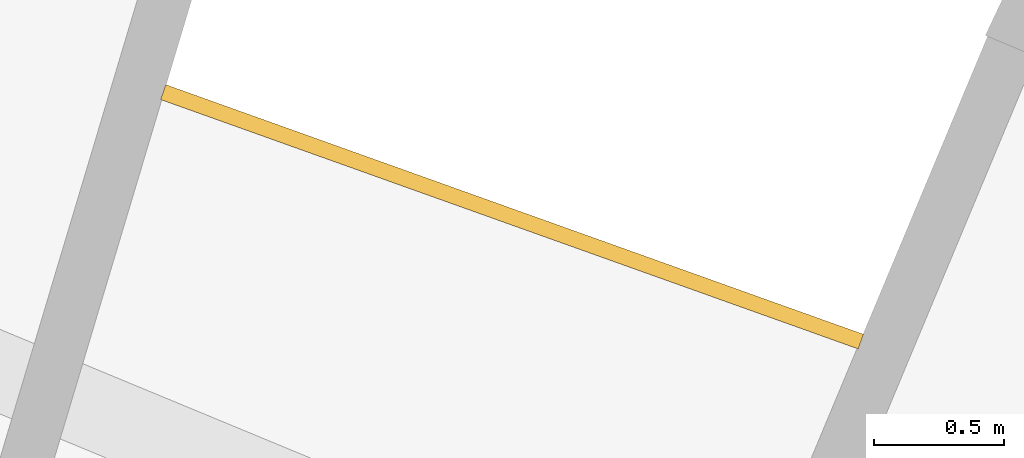
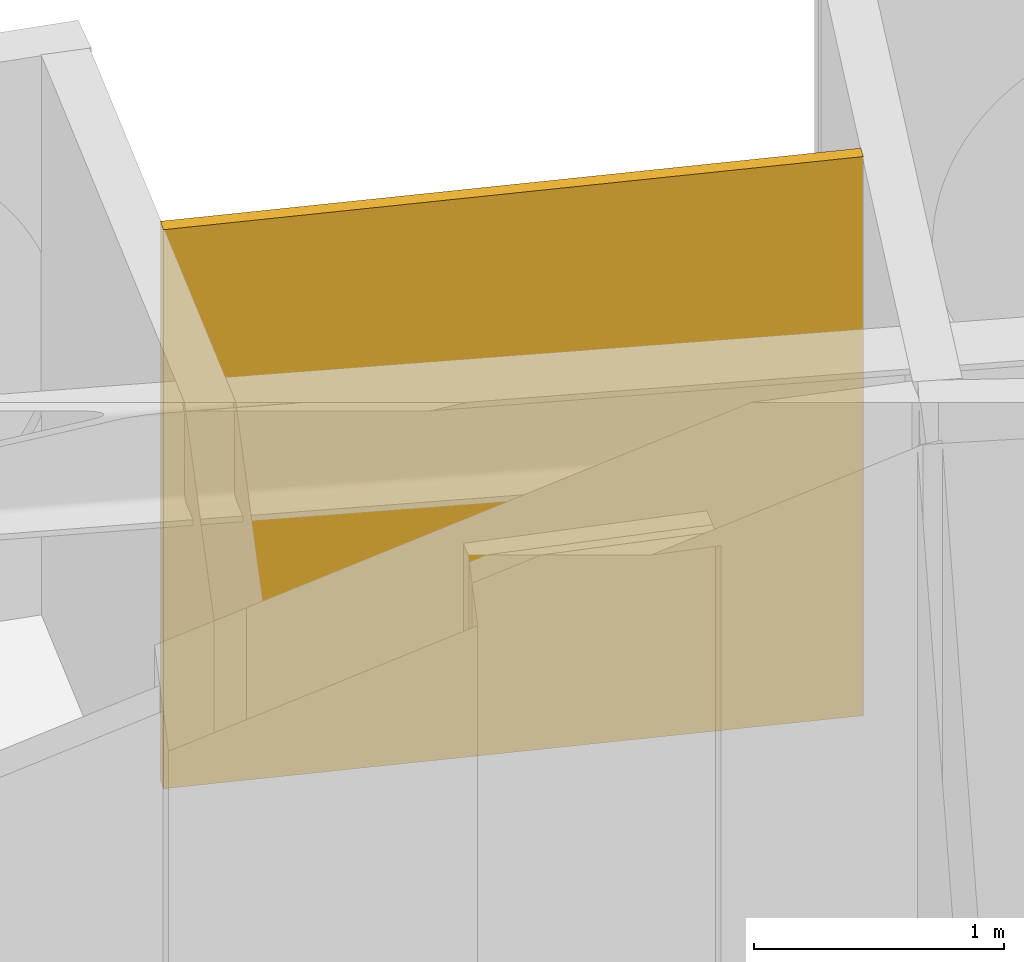
# One storey, part 26 of 26: 1 railing.
"""IFC4 building model written with IfcOpenShell, lengths in metres."""

import ifcopenshell
import ifcopenshell.guid

model = None  # the IFC model being written
_history = None  # IfcOwnerHistory: only IFC2X3 demands one
_inside = {}  # id of a spatial element -> (the spatial element, [elements in it])
_under = {}  # id of a project, library or spatial element -> (it, [spatial elements below it])
_declared = {}  # id of a project -> (the project, [libraries it declares])
_typed = {}  # id of a type object -> (the type object, [elements of that type])
_made_of = {}  # id of a material, layer set ... -> (it, [elements and type objects made of it])


def new_model(schema):
    """Start an empty IFC model of exactly this schema.

    Asked for "IFC4X3", IfcOpenShell would pick the latest addendum, in which some entities
    have other attributes; the version numbers below select the first issue.
    IFC2X3 requires an IfcOwnerHistory on every rooted entity: one is made here for all.
    """
    global model, _history
    if schema == "IFC4X3":
        model = ifcopenshell.file(schema_version=(4, 3, 0, 0))
    else:
        model = ifcopenshell.file(schema=schema)
    _inside.clear()
    _under.clear()
    _declared.clear()
    _typed.clear()
    _made_of.clear()
    _history = None
    if model.schema == "IFC2X3":
        org = make("IfcOrganization", Name="unknown")
        user = make(
            "IfcPersonAndOrganization",
            ThePerson=make("IfcPerson", FamilyName="unknown"),
            TheOrganization=org,
        )
        app = make(
            "IfcApplication",
            ApplicationDeveloper=org,
            Version="unknown",
            ApplicationFullName="unknown",
            ApplicationIdentifier="unknown",
        )
        _history = make(
            "IfcOwnerHistory",
            OwningUser=user,
            OwningApplication=app,
            ChangeAction="ADDED",
            CreationDate=0,
        )
    return model


def make(cls, **values):
    """One entity of the class cls with the attributes given. An attribute that is None is left unset."""
    return model.create_entity(
        cls, **{name: value for name, value in values.items() if value is not None}
    )


def rooted(cls, **values):
    """An entity with a GlobalId (a new one), such as an element, a storey or a relation."""
    return make(cls, GlobalId=ifcopenshell.guid.new(), OwnerHistory=_history, **values)


def si_unit(unit_type, name, prefix=None):
    """IfcSIUnit, for example si_unit("LENGTHUNIT", "METRE", prefix="MILLI")."""
    return make("IfcSIUnit", UnitType=unit_type, Prefix=prefix, Name=name)


def assignment(units):
    """IfcUnitAssignment: the units of a project."""
    return None if units is None else make("IfcUnitAssignment", Units=units)


def point(xyz):
    """IfcCartesianPoint."""
    return None if xyz is None else make("IfcCartesianPoint", Coordinates=xyz)


def direction(xyz):
    """IfcDirection."""
    return None if xyz is None else make("IfcDirection", DirectionRatios=xyz)


def frame(location, z_axis=None, x_axis=None):
    """IfcAxis2Placement3D, a coordinate frame: its origin and axes. An axis left out is left unset."""
    return make(
        "IfcAxis2Placement3D",
        Location=point(location),
        Axis=direction(z_axis),
        RefDirection=direction(x_axis),
    )


def origin():
    """The frame at (0, 0, 0) with its axes left unset."""
    return frame((0.0, 0.0, 0.0))


def place(relative_to, where):
    """IfcLocalPlacement: puts the frame where relative to a parent placement (None: the world)."""
    return make(
        "IfcLocalPlacement", PlacementRelTo=relative_to, RelativePlacement=where
    )


def context(
    kind, dimensions, precision=None, world=None, true_north=None, identifier=None
):
    """IfcGeometricRepresentationContext, for example the 3D "Model" context."""
    return make(
        "IfcGeometricRepresentationContext",
        ContextIdentifier=identifier,
        ContextType=kind,
        CoordinateSpaceDimension=dimensions,
        Precision=precision,
        WorldCoordinateSystem=world,
        TrueNorth=true_north,
    )


def subcontext(parent, identifier, kind, view, scale=None):
    """IfcGeometricRepresentationSubContext, for example "Body" below "Model"."""
    return make(
        "IfcGeometricRepresentationSubContext",
        ContextIdentifier=identifier,
        ContextType=kind,
        ParentContext=parent,
        TargetScale=scale,
        TargetView=view,
    )


def project(units=None, contexts=None):
    """IfcProject with its units and contexts."""
    return rooted(
        "IfcProject",
        Name="project",
        RepresentationContexts=contexts,
        UnitsInContext=assignment(units),
    )


def spatial(cls, under=None, at=None, **own):
    """A site, building, storey or space (cls), placed at a placement, below another one or the project."""
    s = rooted(cls, ObjectPlacement=at, **own)
    if under is not None:
        _under.setdefault(under.id(), (under, []))[1].append(s)
    return s


def polyline(points):
    """IfcPolyline through the points."""
    return make("IfcPolyline", Points=[point(p) for p in points])


def outline(outer, holes=None, kind="AREA"):
    """IfcArbitraryClosedProfileDef: a profile drawn as a closed curve; with holes, ...WithVoids."""
    if holes is None:
        return make("IfcArbitraryClosedProfileDef", ProfileType=kind, OuterCurve=outer)
    return make(
        "IfcArbitraryProfileDefWithVoids",
        ProfileType=kind,
        OuterCurve=outer,
        InnerCurves=holes,
    )


def extrude(swept, where, along, depth):
    """IfcExtrudedAreaSolid: the profile swept, set in the frame where, extruded along a direction by depth."""
    return make(
        "IfcExtrudedAreaSolid",
        SweptArea=swept,
        Position=where,
        ExtrudedDirection=direction(along),
        Depth=depth,
    )


def shape(context_of_items, identifier, shape_type, items):
    """IfcShapeRepresentation: the items that make up one representation, for example the "Body"."""
    return make(
        "IfcShapeRepresentation",
        ContextOfItems=context_of_items,
        RepresentationIdentifier=identifier,
        RepresentationType=shape_type,
        Items=items,
    )


def material(Name=None, Category=None):
    """IfcMaterial."""
    return make("IfcMaterial", Name=Name, Category=Category)


def layer(
    of_material, thickness, ventilated=None, Name=None, Category=None, Priority=None
):
    """IfcMaterialLayer: one layer of a wall or slab, of a material (None: an air gap)."""
    return make(
        "IfcMaterialLayer",
        Material=of_material,
        LayerThickness=thickness,
        IsVentilated=ventilated,
        Name=Name,
        Category=Category,
        Priority=Priority,
    )


def layer_set(layers, Name=None):
    """IfcMaterialLayerSet."""
    return make("IfcMaterialLayerSet", MaterialLayers=layers, LayerSetName=Name)


def made_of(thing, what):
    """Note that an element or type object is made of a material, layer set ...; save() writes the relation."""
    if what is not None:
        _made_of.setdefault(what.id(), (what, []))[1].append(thing)
    return thing


def type_object(cls, material=None, **own):
    """A type object (cls), such as IfcWallType, which elements share."""
    return made_of(rooted(cls, **own), material)


def element(
    cls,
    number,
    at=None,
    inside=None,
    cuts=None,
    type_object=None,
    material=None,
    context=None,
    identifier="Body",
    shape_type=None,
    held_by="IfcProductDefinitionShape",
    body=None,
    shapes=None,
    **own,
):
    """One element of the class cls, such as IfcWall. Its Tag is "e" and its number.

    at: its placement. inside: the storey or other place that contains it. cuts: it is an
    opening in that element (IfcRelVoidsElement). A single representation is given by context,
    identifier, shape_type and body (its items); several are given by shapes. held_by: the class
    of the entity that holds the representations. save() writes the other relations.
    """
    e = rooted(cls, Tag="e%d" % number, ObjectPlacement=at, **own)
    if body is not None:
        shapes = [shape(context, identifier, shape_type, body)]
    if shapes is not None:
        e.Representation = make(held_by, Representations=shapes)
    if inside is not None:
        _inside.setdefault(inside.id(), (inside, []))[1].append(e)
    if cuts is not None:
        rooted(
            "IfcRelVoidsElement", RelatingBuildingElement=cuts, RelatedOpeningElement=e
        )
    if type_object is not None:
        _typed.setdefault(type_object.id(), (type_object, []))[1].append(e)
    return made_of(e, material)


def aggregate(whole, parts):
    """IfcRelAggregates: a whole, such as a stair, and the parts it consists of."""
    return rooted("IfcRelAggregates", RelatingObject=whole, RelatedObjects=parts)


def save(model, path):
    """Write the relations noted so far, then the file.

    IfcRelAggregates (storeys below a building ...), IfcRelContainedInSpatialStructure (elements
    in a storey), IfcRelDefinesByType, IfcRelAssociatesMaterial and IfcRelDeclares: one each for
    every whole, place, type object, material and project.
    """
    for whole, parts in _under.values():
        aggregate(whole, parts)
    for where, things in _inside.values():
        rooted(
            "IfcRelContainedInSpatialStructure",
            RelatedElements=things,
            RelatingStructure=where,
        )
    for kind, things in _typed.values():
        rooted("IfcRelDefinesByType", RelatedObjects=things, RelatingType=kind)
    for what, things in _made_of.values():
        rooted("IfcRelAssociatesMaterial", RelatedObjects=things, RelatingMaterial=what)
    for by, libraries in _declared.values():
        rooted("IfcRelDeclares", RelatingContext=by, RelatedDefinitions=libraries)
    model.write(path)


model = new_model("IFC4")

# Units and contexts
model_context = context("Model", 3, precision=1e-05, world=origin(), true_north=direction((0.0, 1.0)))
body_context = subcontext(model_context, "Body", "Model", "MODEL_VIEW")
ifc_project = project(units=[si_unit("LENGTHUNIT", "METRE"), si_unit("AREAUNIT", "SQUARE_METRE"), si_unit("VOLUMEUNIT", "CUBIC_METRE"), si_unit("PLANEANGLEUNIT", "RADIAN"), si_unit("MASSUNIT", "GRAM", prefix="KILO")], contexts=[model_context])

# Site, building, storey
site_placement = place(None, origin())
site = spatial("IfcSite", under=ifc_project, at=site_placement, CompositionType="ELEMENT")
building_placement = place(site_placement, origin())
building = spatial("IfcBuilding", under=site, at=building_placement, Name="Maasbend Ring Residences", CompositionType="ELEMENT")
storey_placement = place(building_placement, frame((0.0, 0.0, 66.64990234375)))
storey = spatial("IfcBuildingStorey", under=building, at=storey_placement, Name="L18", CompositionType="ELEMENT", Elevation=66.64990234375)

# Railing
ifc_material = material(Name="Pale anodised perforated aluminium", Category="aluminium")
ifc_layer = layer(ifc_material, 0.06005859375)
ifc_layer_set = layer_set([ifc_layer], Name="SCREEN-P")
railing_type = type_object("IfcRailingType", Name="SCREEN-P", PredefinedType="GUARDRAIL", material=ifc_layer_set)
railing_placement = place(storey_placement, frame((0.0, 0.0, -0.02978515625)))
element("IfcRailing", 1, at=railing_placement, inside=storey, type_object=railing_type, Name="Perforated screen guard 4", PredefinedType="GUARDRAIL", context=body_context, shape_type="SweptSolid", body=[
    extrude(outline(polyline([(11.097900390625, 26.79296875), (8.41796875, 27.7509765625), (8.43798828125, 27.80810546875), (11.117919921875, 26.84912109375), (11.097900390625, 26.79296875)])), origin(), (0.0, 0.0, 1.0), 2.72998046875),
])

save(model, "model.ifc")
